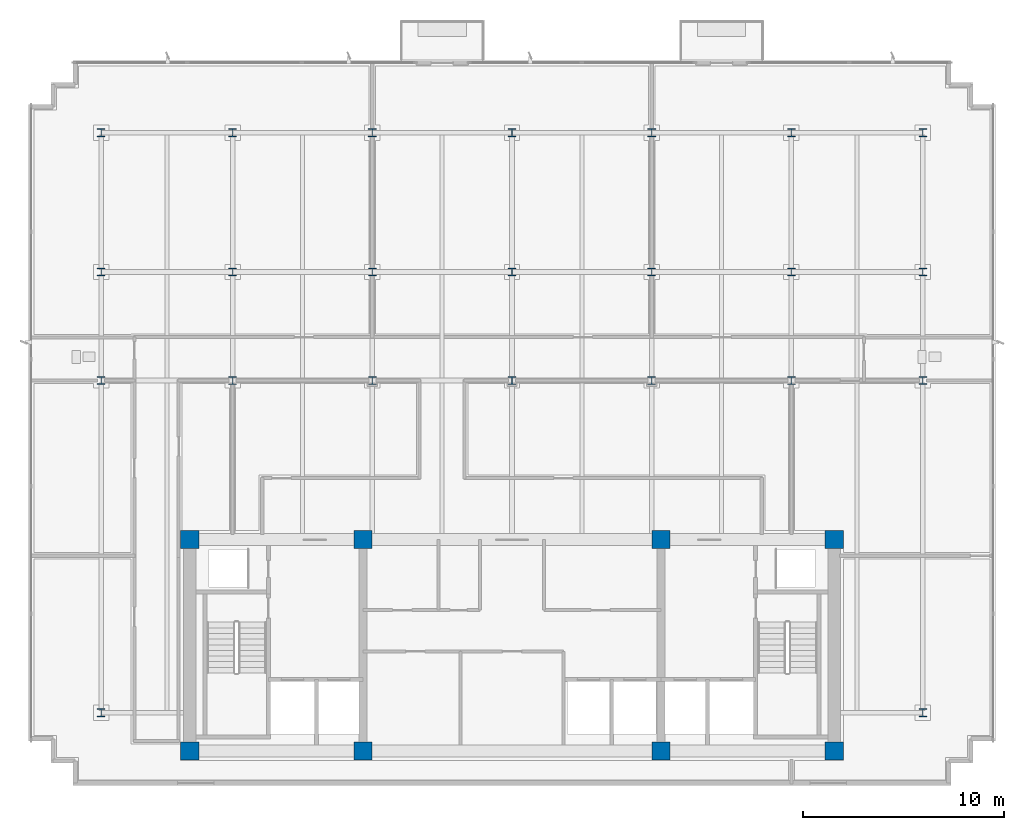
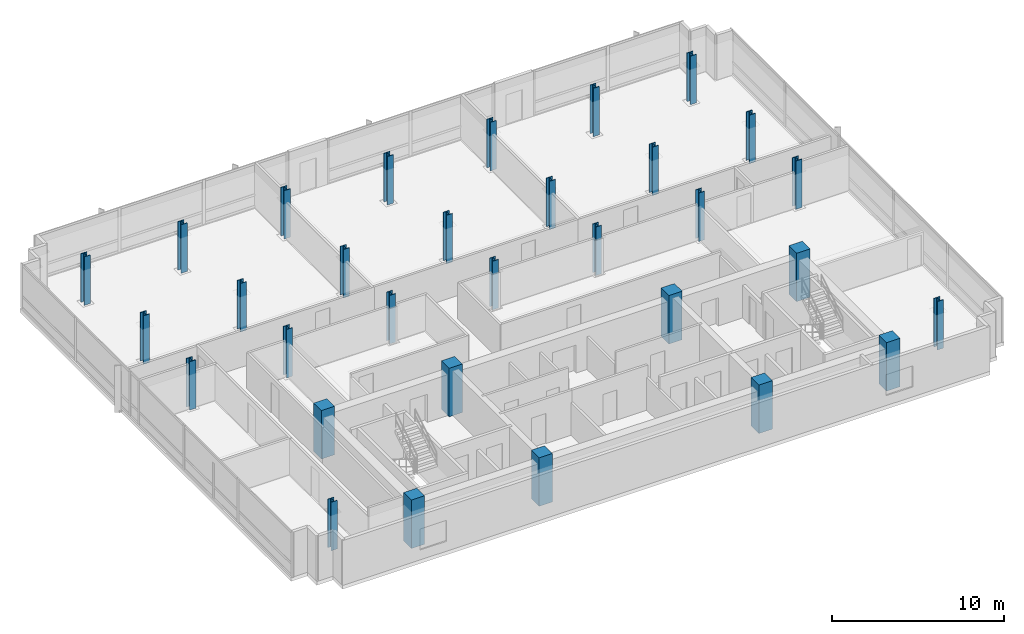
# One storey, part 1 of 15: 31 columns.
"""IFC4 building model written with IfcOpenShell, lengths in metres."""

from ifc_helpers import new_model, si_unit, direction, frame, origin, origin_2d, place, context, subcontext, project, spatial, rectangle, i_section, extrude, material, material_profile, profile_set, type_object, element, save


model = new_model("IFC4")

# Units and contexts
model_context = context("Model", 3, precision=1e-05, world=origin(), true_north=direction((0.0, 1.0)))
body_context = subcontext(model_context, "Body", "Model", "MODEL_VIEW")
ifc_project = project(units=[si_unit("LENGTHUNIT", "METRE"), si_unit("AREAUNIT", "SQUARE_METRE"), si_unit("VOLUMEUNIT", "CUBIC_METRE"), si_unit("PLANEANGLEUNIT", "RADIAN"), si_unit("MASSUNIT", "GRAM", prefix="KILO")], contexts=[model_context])

# Site, building, storey
site_placement = place(None, origin())
site = spatial("IfcSite", under=ifc_project, at=site_placement, CompositionType="ELEMENT")
building_placement = place(site_placement, origin())
building = spatial("IfcBuilding", under=site, at=building_placement, Name="Solmavex Isthmus Hotel", CompositionType="ELEMENT")
storey_placement = place(building_placement, frame((0.0, 0.0, 273.0)))
storey = spatial("IfcBuildingStorey", under=building, at=storey_placement, Name="L74", CompositionType="ELEMENT", Elevation=273.0)

# Columns
ifc_material_1 = material(Name="Concrete C50/60", Category="concrete")
ifc_material_profile_1 = material_profile(ifc_material_1, rectangle(XDim=0.89990234375, YDim=0.89990234375, at=origin_2d()), Name="RC900X900")
ifc_profile_set_1 = profile_set([ifc_material_profile_1], Name="Concrete C50/60")
column_type_1 = type_object("IfcColumnType", Name="COL-CC-900", PredefinedType="COLUMN", material=ifc_profile_set_1)
for number, where, z_axis, x_axis, name in (
    (1, (-16.0, -13.0, 0.0), (0.0, 0.0, 1.0), (1.0, 0.0, 0.0), "Core Pilaster CC-SW L74"),
    (2, (-7.39990234375, -13.0, 0.0), (0.0, 0.0, 1.0), (1.0, 0.0, 0.0), "Core Pilaster CC-S1 L74"),
    (3, (7.39990234375, -13.0, 0.0), (0.0, 0.0, 1.0), (1.0, 0.0, 0.0), "Core Pilaster CC-S2 L74"),
    (4, (16.0, -13.0, 0.0), (0.0, 0.0, 1.0), (1.0, 0.0, 0.0), "Core Pilaster CC-SE L74"),
    (5, (-16.0, -2.5, 0.0), (0.0, 0.0, 1.0), (1.0, 0.0, 0.0), "Core Pilaster CC-NW L74"),
    (6, (-7.39990234375, -2.5, 0.0), (0.0, 0.0, 1.0), (1.0, 0.0, 0.0), "Core Pilaster CC-N1 L74"),
    (7, (7.39990234375, -2.5, 0.0), (0.0, 0.0, 1.0), (1.0, 0.0, 0.0), "Core Pilaster CC-N2 L74"),
    (8, (16.0, -2.5, 0.0), (0.0, 0.0, 1.0), (1.0, 0.0, 0.0), "Core Pilaster CC-NE L74"),
):
    element("IfcColumn", number, at=place(storey_placement, frame(where, z_axis=z_axis, x_axis=x_axis)), inside=storey, type_object=column_type_1, Name=name, PredefinedType="COLUMN", context=body_context, shape_type="SweptSolid", body=[
        extrude(rectangle(XDim=0.89990234375, YDim=0.89990234375, at=origin_2d()), origin(), (0.0, 0.0, 1.0), 3.449951171875),
    ])
ifc_material_2 = material(Name="Steel ASTM A913 Grade 65", Category="steel")
ifc_material_profile_2 = material_profile(ifc_material_2, i_section(OverallWidth=0.4013671875, OverallDepth=0.3994140625, WebThickness=0.02490234375, FlangeThickness=0.03955078125, FilletRadius=0.030517578125, at=origin_2d()), Name="W14X211")
ifc_profile_set_2 = profile_set([ifc_material_profile_2], Name="Steel ASTM A913 Grade 65")
column_type_2 = type_object("IfcColumnType", Name="COL-SC-W14X211", PredefinedType="COLUMN", material=ifc_profile_set_2)
for number, where, z_axis, x_axis, name in (
    (9, (-13.8720703125, 5.39990234375, 0.0), (0.0, 0.0, 1.0), (1.0, 0.0, 0.0), "Tower Column B5-U2V2 L74"),
    (10, (-13.8720703125, 10.7880859375, 0.0), (0.0, 0.0, 1.0), (1.0, 0.0, 0.0), "Tower Column B5-U2V3 L74"),
    (11, (-6.93603515625, 5.39990234375, 0.0), (0.0, 0.0, 1.0), (1.0, 0.0, 0.0), "Tower Column B5-U3V2 L74"),
    (12, (-6.93603515625, 10.7880859375, 0.0), (0.0, 0.0, 1.0), (1.0, 0.0, 0.0), "Tower Column B5-U3V3 L74"),
    (13, (0.0, 5.39990234375, 0.0), (0.0, 0.0, 1.0), (1.0, 0.0, 0.0), "Tower Column B5-U4V2 L74"),
    (14, (0.0, 10.7880859375, 0.0), (0.0, 0.0, 1.0), (1.0, 0.0, 0.0), "Tower Column B5-U4V3 L74"),
    (15, (6.93603515625, 5.39990234375, 0.0), (0.0, 0.0, 1.0), (1.0, 0.0, 0.0), "Tower Column B5-U5V2 L74"),
    (16, (6.93603515625, 10.7880859375, 0.0), (0.0, 0.0, 1.0), (1.0, 0.0, 0.0), "Tower Column B5-U5V3 L74"),
    (17, (13.8720703125, 5.39990234375, 0.0), (0.0, 0.0, 1.0), (1.0, 0.0, 0.0), "Tower Column B5-U6V2 L74"),
    (18, (13.8720703125, 10.7880859375, 0.0), (0.0, 0.0, 1.0), (1.0, 0.0, 0.0), "Tower Column B5-U6V3 L74"),
):
    element("IfcColumn", number, at=place(storey_placement, frame(where, z_axis=z_axis, x_axis=x_axis)), inside=storey, type_object=column_type_2, Name=name, PredefinedType="COLUMN", context=body_context, shape_type="SweptSolid", body=[
        extrude(i_section(OverallWidth=0.4013671875, OverallDepth=0.3994140625, WebThickness=0.02490234375, FlangeThickness=0.03955078125, FilletRadius=0.030517578125, at=origin_2d()), origin(), (0.0, 0.0, 1.0), 3.449951171875),
    ])
ifc_material_profile_3 = material_profile(ifc_material_2, i_section(OverallWidth=0.40625, OverallDepth=0.416015625, WebThickness=0.02978515625, FlangeThickness=0.048095703125, FilletRadius=0.030517578125, at=origin_2d()), Name="W14X257")
ifc_profile_set_3 = profile_set([ifc_material_profile_3], Name="Steel ASTM A913 Grade 65")
column_type_3 = type_object("IfcColumnType", Name="COL-SC-W14X257", PredefinedType="COLUMN", material=ifc_profile_set_3)
for number, where, z_axis, x_axis, name in (
    (19, (-20.39990234375, -11.10009765625, 0.0), (0.0, 0.0, 1.0), (1.0, 0.0, 0.0), "Tower Column B5-U1V1 L74"),
    (20, (-20.39990234375, 5.39990234375, 0.0), (0.0, 0.0, 1.0), (1.0, 0.0, 0.0), "Tower Column B5-U1V2 L74"),
    (21, (-20.39990234375, 10.7880859375, 0.0), (0.0, 0.0, 1.0), (1.0, 0.0, 0.0), "Tower Column B5-U1V3 L74"),
    (22, (-20.39990234375, 17.699951171875, 0.0), (0.0, 0.0, 1.0), (1.0, 0.0, 0.0), "Tower Column B5-U1V4 L74"),
    (23, (-13.8720703125, 17.699951171875, 0.0), (0.0, 0.0, 1.0), (1.0, 0.0, 0.0), "Tower Column B5-U2V4 L74"),
    (24, (-6.93603515625, 17.699951171875, 0.0), (0.0, 0.0, 1.0), (1.0, 0.0, 0.0), "Tower Column B5-U3V4 L74"),
    (25, (0.0, 17.699951171875, 0.0), (0.0, 0.0, 1.0), (1.0, 0.0, 0.0), "Tower Column B5-U4V4 L74"),
    (26, (6.93603515625, 17.699951171875, 0.0), (0.0, 0.0, 1.0), (1.0, 0.0, 0.0), "Tower Column B5-U5V4 L74"),
    (27, (13.8720703125, 17.699951171875, 0.0), (0.0, 0.0, 1.0), (1.0, 0.0, 0.0), "Tower Column B5-U6V4 L74"),
    (28, (20.39990234375, -11.10009765625, 0.0), (0.0, 0.0, 1.0), (1.0, 0.0, 0.0), "Tower Column B5-U7V1 L74"),
    (29, (20.39990234375, 5.39990234375, 0.0), (0.0, 0.0, 1.0), (1.0, 0.0, 0.0), "Tower Column B5-U7V2 L74"),
    (30, (20.39990234375, 10.7880859375, 0.0), (0.0, 0.0, 1.0), (1.0, 0.0, 0.0), "Tower Column B5-U7V3 L74"),
    (31, (20.39990234375, 17.699951171875, 0.0), (0.0, 0.0, 1.0), (1.0, 0.0, 0.0), "Tower Column B5-U7V4 L74"),
):
    element("IfcColumn", number, at=place(storey_placement, frame(where, z_axis=z_axis, x_axis=x_axis)), inside=storey, type_object=column_type_3, Name=name, PredefinedType="COLUMN", context=body_context, shape_type="SweptSolid", body=[
        extrude(i_section(OverallWidth=0.40625, OverallDepth=0.416015625, WebThickness=0.02978515625, FlangeThickness=0.048095703125, FilletRadius=0.030517578125, at=origin_2d()), origin(), (0.0, 0.0, 1.0), 3.449951171875),
    ])

save(model, "model.ifc")
